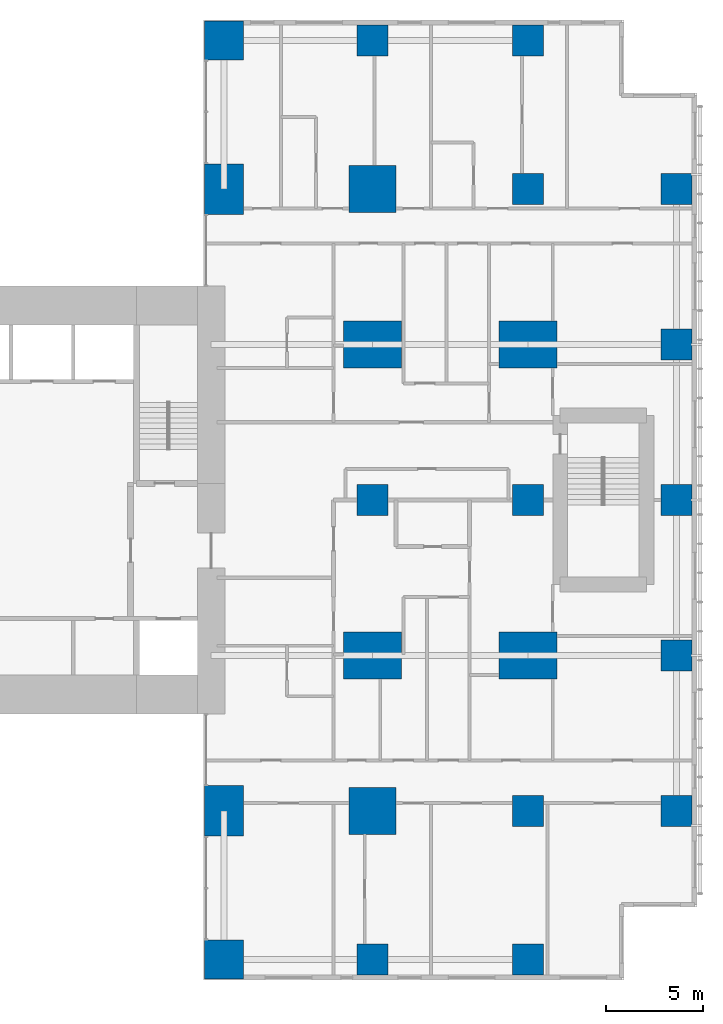
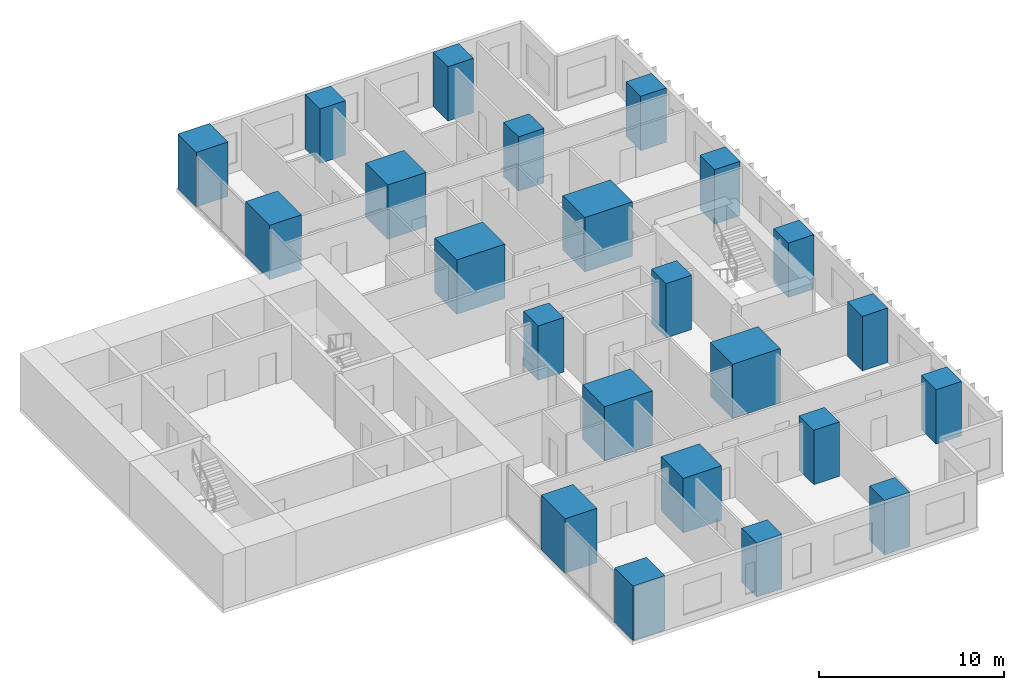
# One storey, part 1 of 12: 23 columns.
"""IFC4 building model written with IfcOpenShell, lengths in metres."""

from ifc_helpers import new_model, si_unit, direction, frame, origin, origin_2d, place, context, subcontext, project, spatial, rectangle, extrude, material, material_profile, profile_set, type_object, element, save


model = new_model("IFC4")

# Units and contexts
model_context = context("Model", 3, precision=1e-05, world=origin(), true_north=direction((0.0, 1.0)))
body_context = subcontext(model_context, "Body", "Model", "MODEL_VIEW")
ifc_project = project(units=[si_unit("LENGTHUNIT", "METRE"), si_unit("AREAUNIT", "SQUARE_METRE"), si_unit("VOLUMEUNIT", "CUBIC_METRE"), si_unit("PLANEANGLEUNIT", "RADIAN"), si_unit("MASSUNIT", "GRAM", prefix="KILO")], contexts=[model_context])

# Site, building, storey
site_placement = place(None, origin())
site = spatial("IfcSite", under=ifc_project, at=site_placement, CompositionType="ELEMENT")
building_placement = place(site_placement, origin())
building = spatial("IfcBuilding", under=site, at=building_placement, Name="Cleftline Residences", CompositionType="ELEMENT")
storey_placement = place(building_placement, frame((0.0, 0.0, 241.199951171875)))
storey = spatial("IfcBuildingStorey", under=building, at=storey_placement, Name="L63", CompositionType="ELEMENT", Elevation=241.199951171875)

# Columns
ifc_material_1 = material(Name="Concrete B70", Category="concrete")
ifc_material_profile_1 = material_profile(ifc_material_1, rectangle(XDim=1.60009765625, YDim=1.60009765625, at=origin_2d()))
ifc_profile_set_1 = profile_set([ifc_material_profile_1], Name="Concrete B70")
column_type_1 = type_object("IfcColumnType", Name="COLUMN RC1600X1600", PredefinedType="COLUMN", material=ifc_profile_set_1)
for number, where, z_axis, x_axis, name in (
    (1, (50.0, 0.35009765625, 0.0), (0.0, 0.0, 1.0), (1.0, 0.0, 0.0), "Column C/9"),
    (2, (50.0, 24.0, 0.0), (0.0, 0.0, 1.0), (1.0, 0.0, 0.0), "Column F/9"),
    (3, (50.0, 47.64990234375, 0.0), (0.0, 0.0, 1.0), (1.0, 0.0, 0.0), "Column J/9"),
    (4, (58.0, 0.35009765625, 0.0), (0.0, 0.0, 1.0), (1.0, 0.0, 0.0), "Column C/10"),
    (5, (58.0, 8.0, 0.0), (0.0, 0.0, 1.0), (1.0, 0.0, 0.0), "Column D/10"),
    (6, (58.0, 24.0, 0.0), (0.0, 0.0, 1.0), (1.0, 0.0, 0.0), "Column F/10"),
    (7, (58.0, 40.0, 0.0), (0.0, 0.0, 1.0), (1.0, 0.0, 0.0), "Column H/10"),
    (8, (58.0, 47.64990234375, 0.0), (0.0, 0.0, 1.0), (1.0, 0.0, 0.0), "Column J/10"),
    (9, (65.64990234375, 8.0, 0.0), (0.0, 0.0, 1.0), (1.0, 0.0, 0.0), "Column D/11"),
    (10, (65.64990234375, 16.0, 0.0), (0.0, 0.0, 1.0), (1.0, 0.0, 0.0), "Column E/11"),
    (11, (65.64990234375, 24.0, 0.0), (0.0, 0.0, 1.0), (1.0, 0.0, 0.0), "Column F/11"),
    (12, (65.64990234375, 32.0, 0.0), (0.0, 0.0, 1.0), (1.0, 0.0, 0.0), "Column G/11"),
    (13, (65.64990234375, 40.0, 0.0), (0.0, 0.0, 1.0), (1.0, 0.0, 0.0), "Column H/11"),
):
    element("IfcColumn", number, at=place(storey_placement, frame(where, z_axis=z_axis, x_axis=x_axis)), inside=storey, type_object=column_type_1, Name=name, PredefinedType="COLUMN", context=body_context, shape_type="SweptSolid", body=[
        extrude(rectangle(XDim=1.60009765625, YDim=1.60009765625, at=origin_2d()), origin(), (0.0, 0.0, 1.0), 3.60009765625),
    ])
ifc_material_2 = material(Name="Concrete B70", Category="concrete")
ifc_material_profile_2 = material_profile(ifc_material_2, rectangle(XDim=2.0, YDim=2.0, at=origin_2d()))
ifc_profile_set_2 = profile_set([ifc_material_profile_2], Name="Concrete B70")
column_type_2 = type_object("IfcColumnType", Name="COLUMN RC2000X2000", PredefinedType="COLUMN", material=ifc_profile_set_2)
for number, where, z_axis, x_axis, name in (
    (14, (42.35009765625, 0.35009765625, 0.0), (0.0, 0.0, 1.0), (1.0, 0.0, 0.0), "Column C/8"),
    (15, (42.35009765625, 47.64990234375, 0.0), (0.0, 0.0, 1.0), (1.0, 0.0, 0.0), "Column J/8"),
):
    element("IfcColumn", number, at=place(storey_placement, frame(where, z_axis=z_axis, x_axis=x_axis)), inside=storey, type_object=column_type_2, Name=name, PredefinedType="COLUMN", context=body_context, shape_type="SweptSolid", body=[
        extrude(rectangle(XDim=2.0, YDim=2.0, at=origin_2d()), origin(), (0.0, 0.0, 1.0), 3.60009765625),
    ])
ifc_material_3 = material(Name="Concrete B70", Category="concrete")
ifc_material_profile_3 = material_profile(ifc_material_3, rectangle(XDim=2.0, YDim=2.60009765625, at=origin_2d()))
ifc_profile_set_3 = profile_set([ifc_material_profile_3], Name="Concrete B70")
column_type_3 = type_object("IfcColumnType", Name="COLUMN RC2000X2600", PredefinedType="COLUMN", material=ifc_profile_set_3)
for number, where, z_axis, x_axis, name in (
    (16, (42.35009765625, 8.0, 0.0), (0.0, 0.0, 1.0), (1.0, 0.0, 0.0), "Column D/8"),
    (17, (42.35009765625, 40.0, 0.0), (0.0, 0.0, 1.0), (1.0, 0.0, 0.0), "Column H/8"),
):
    element("IfcColumn", number, at=place(storey_placement, frame(where, z_axis=z_axis, x_axis=x_axis)), inside=storey, type_object=column_type_3, Name=name, PredefinedType="COLUMN", context=body_context, shape_type="SweptSolid", body=[
        extrude(rectangle(XDim=2.0, YDim=2.60009765625, at=origin_2d()), origin(), (0.0, 0.0, 1.0), 3.60009765625),
    ])
ifc_material_4 = material(Name="Concrete B70", Category="concrete")
ifc_material_profile_4 = material_profile(ifc_material_4, rectangle(XDim=2.39990234375, YDim=2.39990234375, at=origin_2d()))
ifc_profile_set_4 = profile_set([ifc_material_profile_4], Name="Concrete B70")
column_type_4 = type_object("IfcColumnType", Name="COLUMN RC2400X2400", PredefinedType="COLUMN", material=ifc_profile_set_4)
for number, where, z_axis, x_axis, name in (
    (18, (50.0, 8.0, 0.0), (0.0, 0.0, 1.0), (1.0, 0.0, 0.0), "Column D/9"),
    (19, (50.0, 40.0, 0.0), (0.0, 0.0, 1.0), (1.0, 0.0, 0.0), "Column H/9"),
):
    element("IfcColumn", number, at=place(storey_placement, frame(where, z_axis=z_axis, x_axis=x_axis)), inside=storey, type_object=column_type_4, Name=name, PredefinedType="COLUMN", context=body_context, shape_type="SweptSolid", body=[
        extrude(rectangle(XDim=2.39990234375, YDim=2.39990234375, at=origin_2d()), origin(), (0.0, 0.0, 1.0), 3.60009765625),
    ])
ifc_material_5 = material(Name="Concrete B70", Category="concrete")
ifc_material_profile_5 = material_profile(ifc_material_5, rectangle(XDim=3.0, YDim=2.39990234375, at=origin_2d()))
ifc_profile_set_5 = profile_set([ifc_material_profile_5], Name="Concrete B70")
column_type_5 = type_object("IfcColumnType", Name="COLUMN RC3000X2400", PredefinedType="COLUMN", material=ifc_profile_set_5)
for number, where, z_axis, x_axis, name in (
    (20, (50.0, 16.0, 0.0), (0.0, 0.0, 1.0), (1.0, 0.0, 0.0), "Column E/9"),
    (21, (50.0, 32.0, 0.0), (0.0, 0.0, 1.0), (1.0, 0.0, 0.0), "Column G/9"),
    (22, (58.0, 16.0, 0.0), (0.0, 0.0, 1.0), (1.0, 0.0, 0.0), "Column E/10"),
    (23, (58.0, 32.0, 0.0), (0.0, 0.0, 1.0), (1.0, 0.0, 0.0), "Column G/10"),
):
    element("IfcColumn", number, at=place(storey_placement, frame(where, z_axis=z_axis, x_axis=x_axis)), inside=storey, type_object=column_type_5, Name=name, PredefinedType="COLUMN", context=body_context, shape_type="SweptSolid", body=[
        extrude(rectangle(XDim=3.0, YDim=2.39990234375, at=origin_2d()), origin(), (0.0, 0.0, 1.0), 3.60009765625),
    ])

save(model, "model.ifc")
